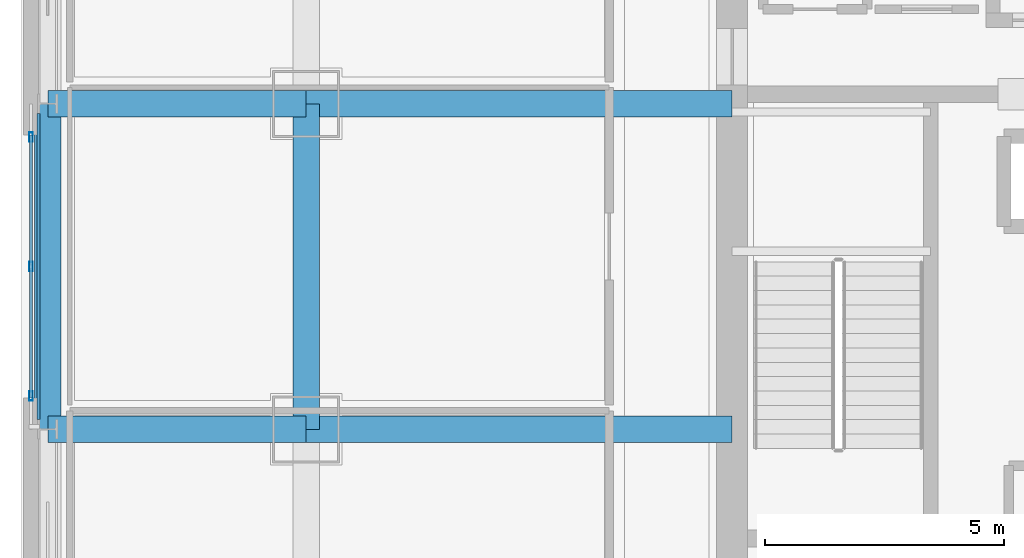
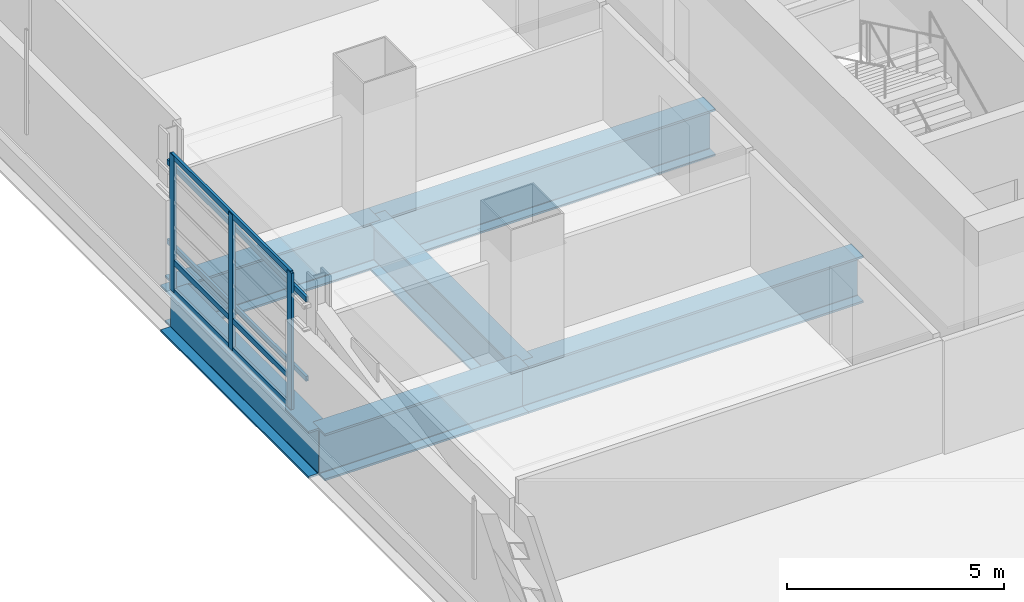
# One storey, part 3 of 29: 8 members, 6 beams, 1 element without a shape of its own.
"""IFC4 building model written with IfcOpenShell, lengths in metres."""

from ifc_helpers import new_model, si_unit, direction, frame, origin, origin_2d, place, context, subcontext, project, spatial, hollow_rectangle, i_section, extrude, material, material_profile, profile_set, type_object, element, aggregate, save


model = new_model("IFC4")

# Units and contexts
model_context = context("Model", 3, precision=1e-05, world=origin(), true_north=direction((0.0, 1.0)))
body_context = subcontext(model_context, "Body", "Model", "MODEL_VIEW")
ifc_project = project(units=[si_unit("LENGTHUNIT", "METRE"), si_unit("AREAUNIT", "SQUARE_METRE"), si_unit("VOLUMEUNIT", "CUBIC_METRE"), si_unit("PLANEANGLEUNIT", "RADIAN"), si_unit("MASSUNIT", "GRAM", prefix="KILO")], contexts=[model_context])

# Site, building, storey
site_placement = place(None, origin())
site = spatial("IfcSite", under=ifc_project, at=site_placement, CompositionType="ELEMENT")
building_placement = place(site_placement, origin())
building = spatial("IfcBuilding", under=site, at=building_placement, Name="Punatoya Terracotta Tower", CompositionType="ELEMENT")
storey_placement = place(building_placement, frame((0.0, 0.0, 172.199951171875)))
storey = spatial("IfcBuildingStorey", under=building, at=storey_placement, Name="L40", CompositionType="ELEMENT", Elevation=172.199951171875)

# Beams
ifc_material_1 = material(Name="Steel S460", Category="steel")
ifc_material_profile_1 = material_profile(ifc_material_1, i_section(OverallWidth=0.56005859375, OverallDepth=1.320068359375, WebThickness=0.035888671875, FlangeThickness=0.054931640625, FilletRadius=0.01806640625, at=origin_2d()))
ifc_profile_set_1 = profile_set([ifc_material_profile_1], Name="Steel S460")
beam_type = type_object("IfcBeamType", Name="BM-TG-BLK", PredefinedType="BEAM", material=ifc_profile_set_1)
beam_1_placement = place(storey_placement, frame((-19.10009765625, -3.39990234375, -0.93994140625), z_axis=(0.0, 1.0, 0.0), x_axis=(-1.0, 0.0, 0.0)))
element("IfcBeam", 1, at=beam_1_placement, inside=storey, type_object=beam_type, Name="BM-L40-RG-W2", PredefinedType="BEAM", context=body_context, shape_type="SweptSolid", body=[
    extrude(i_section(OverallWidth=0.56005859375, OverallDepth=1.320068359375, WebThickness=0.035888671875, FlangeThickness=0.054931640625, FilletRadius=0.01806640625, at=origin_2d()), origin(), (0.0, 0.0, 1.0), 6.7998046875),
])
for number, where, z_axis, x_axis, name in (
    (2, (-19.10009765625, -3.39990234375, -0.93994140625), (1.0, 0.0, 0.0), (0.0, 1.0, 0.0), "BM-L40-PR-WD"),
    (3, (-19.10009765625, 3.39990234375, -0.93994140625), (1.0, 0.0, 0.0), (0.0, 1.0, 0.0), "BM-L40-PR-WE"),
):
    element("IfcBeam", number, at=place(storey_placement, frame(where, z_axis=z_axis, x_axis=x_axis)), inside=storey, type_object=beam_type, Name=name, PredefinedType="BEAM", context=body_context, shape_type="SweptSolid", body=[
        extrude(i_section(OverallWidth=0.56005859375, OverallDepth=1.320068359375, WebThickness=0.035888671875, FlangeThickness=0.054931640625, FilletRadius=0.01806640625, at=origin_2d()), origin(), (0.0, 0.0, 1.0), 8.900146484375),
    ])
for number, where, z_axis, x_axis, name in (
    (4, (-24.5, -3.39990234375, -0.93994140625), (1.0, 0.0, 0.0), (0.0, 1.0, 0.0), "BM-L40-CANT-W2"),
    (5, (-24.5, 3.39990234375, -0.93994140625), (1.0, 0.0, 0.0), (0.0, 1.0, 0.0), "BM-L40-CANT-W3"),
):
    element("IfcBeam", number, at=place(storey_placement, frame(where, z_axis=z_axis, x_axis=x_axis)), inside=storey, type_object=beam_type, Name=name, PredefinedType="BEAM", context=body_context, shape_type="SweptSolid", body=[
        extrude(i_section(OverallWidth=0.56005859375, OverallDepth=1.320068359375, WebThickness=0.035888671875, FlangeThickness=0.054931640625, FilletRadius=0.01806640625, at=origin_2d()), origin(), (0.0, 0.0, 1.0), 5.39990234375),
    ])
beam_2_placement = place(storey_placement, frame((-24.5, -3.39990234375, -0.93994140625), z_axis=(0.0, 1.0, 0.0), x_axis=(-1.0, 0.0, 0.0)))
element("IfcBeam", 6, at=beam_2_placement, inside=storey, type_object=beam_type, Name="BM-L40-PER-W2", PredefinedType="BEAM", context=body_context, shape_type="SweptSolid", body=[
    extrude(i_section(OverallWidth=0.56005859375, OverallDepth=1.320068359375, WebThickness=0.035888671875, FlangeThickness=0.054931640625, FilletRadius=0.01806640625, at=origin_2d()), origin(), (0.0, 0.0, 1.0), 6.7998046875),
])

# Curtain wall, members
ifc_material_2 = material(Name="Aluminium 6063-T6 + Double Low-E Glass", Category="aluminium")
curtain_wall_type = type_object("IfcCurtainWallType", Name="CW-M2", PredefinedType="NOTDEFINED", material=ifc_material_2)
curtain_wall_placement = place(storey_placement, origin())
curtain_wall = element("IfcCurtainWall", 7, at=curtain_wall_placement, inside=storey, type_object=curtain_wall_type, Name="L40 Curtain Wall CW-L40-W13-1", PredefinedType="NOTDEFINED")
ifc_material_3 = material(Name="Aluminium 6063-T6", Category="aluminium")
ifc_material_profile_2 = material_profile(ifc_material_3, hollow_rectangle(XDim=0.072021484375, YDim=0.195068359375, WallThickness=0.00439453125, at=origin_2d()))
ifc_profile_set_2 = profile_set([ifc_material_profile_2], Name="Aluminium 6063-T6")
member_type_1 = type_object("IfcMemberType", Name="CW-MUL-M2", PredefinedType="MULLION", material=ifc_profile_set_2)
member_1_placement = place(storey_placement, frame((-24.85009765625, 2.705078125, 0.0), z_axis=(0.0, 0.0, 1.0), x_axis=(1.0, 0.0, 0.0)))
member_1 = element("IfcMember", 8, at=member_1_placement, type_object=member_type_1, Name="CW-L40-W13-1 Mullion 00", PredefinedType="MULLION", context=body_context, shape_type="SweptSolid", body=[
    extrude(hollow_rectangle(XDim=0.072021484375, YDim=0.195068359375, WallThickness=0.00439453125, at=origin_2d()), origin(), (0.0, 0.0, 1.0), 3.830078125),
])
member_2_placement = place(storey_placement, frame((-24.85009765625, 0.0, 0.0), z_axis=(0.0, 0.0, 1.0), x_axis=(1.0, 0.0, 0.0)))
member_2 = element("IfcMember", 9, at=member_2_placement, type_object=member_type_1, Name="CW-L40-W13-1 Mullion 01", PredefinedType="MULLION", context=body_context, shape_type="SweptSolid", body=[
    extrude(hollow_rectangle(XDim=0.072021484375, YDim=0.195068359375, WallThickness=0.00439453125, at=origin_2d()), origin(), (0.0, 0.0, 1.0), 3.830078125),
])
member_3_placement = place(storey_placement, frame((-24.85009765625, -2.705078125, 0.0), z_axis=(0.0, 0.0, 1.0), x_axis=(1.0, 0.0, 0.0)))
member_3 = element("IfcMember", 10, at=member_3_placement, type_object=member_type_1, Name="CW-L40-W13-1 Mullion 02", PredefinedType="MULLION", context=body_context, shape_type="SweptSolid", body=[
    extrude(hollow_rectangle(XDim=0.072021484375, YDim=0.195068359375, WallThickness=0.00439453125, at=origin_2d()), origin(), (0.0, 0.0, 1.0), 3.830078125),
])
ifc_material_profile_3 = material_profile(ifc_material_3, hollow_rectangle(XDim=0.068115234375, YDim=0.14990234375, WallThickness=0.00390625, at=origin_2d()))
ifc_profile_set_3 = profile_set([ifc_material_profile_3], Name="Aluminium 6063-T6")
member_type_2 = type_object("IfcMemberType", Name="CW-TRN-TYP", PredefinedType="USERDEFINED", material=ifc_profile_set_3)
member_4_placement = place(storey_placement, frame((-24.85009765625, 2.75, 0.0400390625), z_axis=(0.0, -1.0, 0.0), x_axis=(1.0, 0.0, 0.0)))
member_4 = element("IfcMember", 11, at=member_4_placement, type_object=member_type_2, Name="CW-L40-W13-1 Transom 1", ObjectType="TRANSOM", PredefinedType="USERDEFINED", context=body_context, shape_type="SweptSolid", body=[
    extrude(hollow_rectangle(XDim=0.068115234375, YDim=0.14990234375, WallThickness=0.00390625, at=origin_2d()), origin(), (0.0, 0.0, 1.0), 5.5),
])
member_5_placement = place(storey_placement, frame((-24.85009765625, 2.75, 0.85009765625), z_axis=(0.0, -1.0, 0.0), x_axis=(1.0, 0.0, 0.0)))
member_5 = element("IfcMember", 12, at=member_5_placement, type_object=member_type_2, Name="CW-L40-W13-1 Transom 2", ObjectType="TRANSOM", PredefinedType="USERDEFINED", context=body_context, shape_type="SweptSolid", body=[
    extrude(hollow_rectangle(XDim=0.068115234375, YDim=0.14990234375, WallThickness=0.00390625, at=origin_2d()), origin(), (0.0, 0.0, 1.0), 5.5),
])
member_6_placement = place(storey_placement, frame((-24.85009765625, 2.75, 3.7900390625), z_axis=(0.0, -1.0, 0.0), x_axis=(1.0, 0.0, 0.0)))
member_6 = element("IfcMember", 13, at=member_6_placement, type_object=member_type_2, Name="CW-L40-W13-1 Transom 3", ObjectType="TRANSOM", PredefinedType="USERDEFINED", context=body_context, shape_type="SweptSolid", body=[
    extrude(hollow_rectangle(XDim=0.068115234375, YDim=0.14990234375, WallThickness=0.00390625, at=origin_2d()), origin(), (0.0, 0.0, 1.0), 5.5),
])
aggregate(curtain_wall, [member_1, member_2, member_3, member_4, member_5, member_6])

# Members
ifc_material_4 = material(Name="Steel S355", Category="steel")
ifc_material_profile_4 = material_profile(ifc_material_4, hollow_rectangle(XDim=0.070068359375, YDim=0.139892578125, WallThickness=0.006103515625, at=origin_2d()))
ifc_profile_set_4 = profile_set([ifc_material_profile_4], Name="Steel S355")
member_type_3 = type_object("IfcMemberType", Name="MEM-BAG-RAIL", PredefinedType="USERDEFINED", material=ifc_profile_set_4)
for number, where, z_axis, x_axis, name in (
    (14, (-24.694580078125, -3.196044921875, 1.050048828125), (0.0, 1.0, 0.0), (-1.0, 0.0, 0.0), "L40 Terracotta Baguette Carrier Rail BAG-L40-W-R1"),
    (15, (-24.694580078125, -3.196044921875, 3.280029296875), (0.0, 1.0, 0.0), (-1.0, 0.0, 0.0), "L40 Terracotta Baguette Carrier Rail BAG-L40-W-R2"),
):
    element("IfcMember", number, at=place(storey_placement, frame(where, z_axis=z_axis, x_axis=x_axis)), inside=storey, type_object=member_type_3, Name=name, ObjectType="BAGUETTE", PredefinedType="USERDEFINED", context=body_context, shape_type="SweptSolid", body=[
        extrude(hollow_rectangle(XDim=0.070068359375, YDim=0.139892578125, WallThickness=0.006103515625, at=origin_2d()), origin(), (0.0, 0.0, 1.0), 6.39208984375),
    ])

save(model, "model.ifc")
